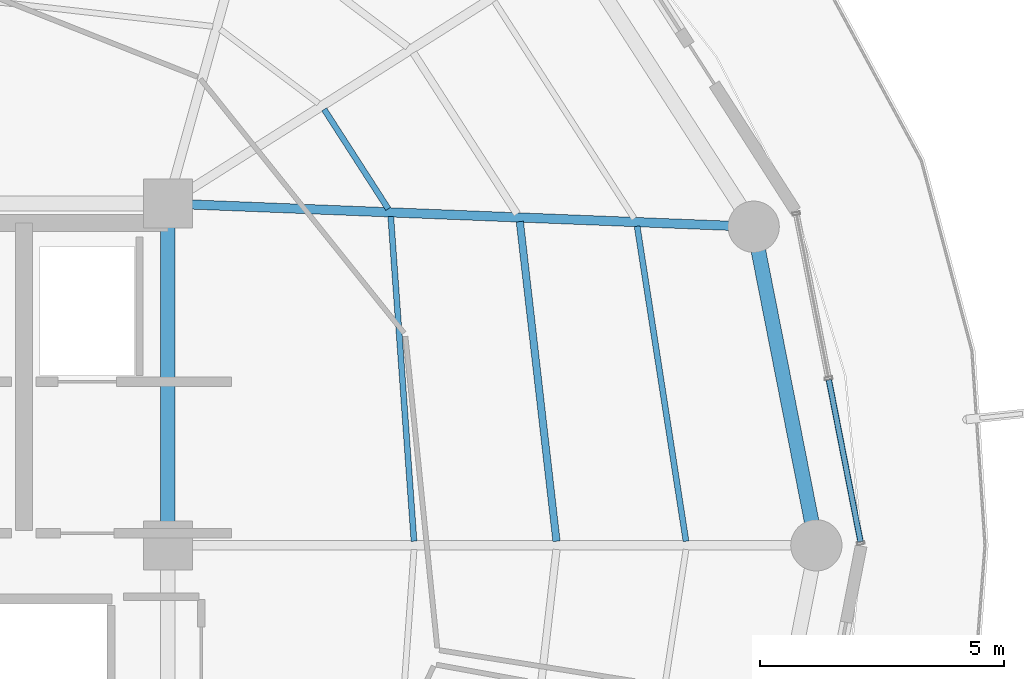
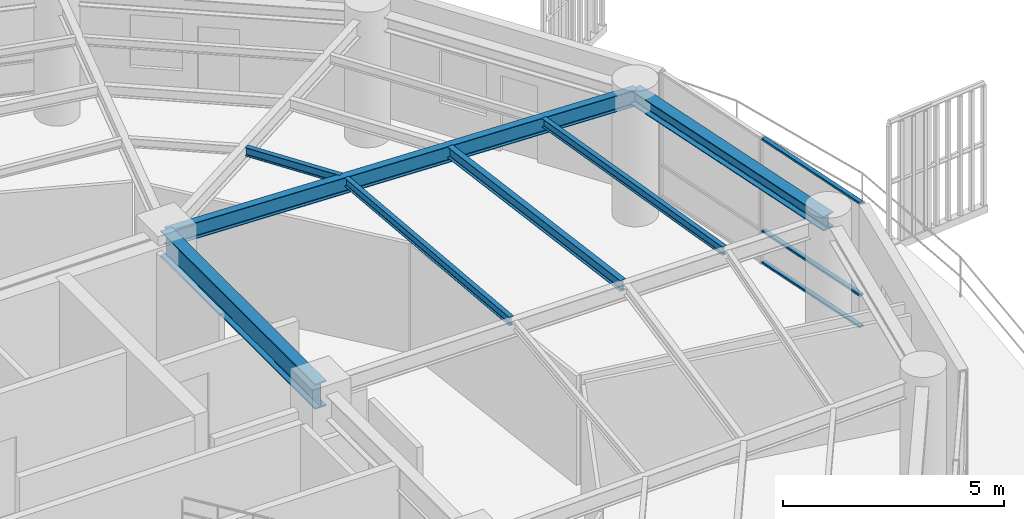
# One storey, part 15 of 31: 7 beams, 3 members, 1 element without a shape of its own.
"""IFC4 building model written with IfcOpenShell, lengths in metres."""

from ifc_helpers import new_model, si_unit, direction, frame, origin, origin_2d, place, context, subcontext, project, spatial, hollow_rectangle, i_section, extrude, material, layer, layer_set, material_profile, profile_set, type_object, element, aggregate, save


model = new_model("IFC4")

# Units and contexts
model_context = context("Model", 3, precision=1e-05, world=origin(), true_north=direction((0.0, 1.0)))
body_context = subcontext(model_context, "Body", "Model", "MODEL_VIEW")
ifc_project = project(units=[si_unit("LENGTHUNIT", "METRE"), si_unit("AREAUNIT", "SQUARE_METRE"), si_unit("VOLUMEUNIT", "CUBIC_METRE"), si_unit("PLANEANGLEUNIT", "RADIAN"), si_unit("MASSUNIT", "GRAM", prefix="KILO")], contexts=[model_context])

# Site, building, storey
site_placement = place(None, origin())
site = spatial("IfcSite", under=ifc_project, at=site_placement, CompositionType="ELEMENT")
building_placement = place(site_placement, origin())
building = spatial("IfcBuilding", under=site, at=building_placement, Name="Kelanora Arch Commons", CompositionType="ELEMENT")
storey_placement = place(building_placement, frame((0.0, 0.0, 223.199951171875)))
storey = spatial("IfcBuildingStorey", under=building, at=storey_placement, Name="L57", CompositionType="ELEMENT", Elevation=223.199951171875)

# Beams
ifc_material_1 = material(Name="Steel S355", Category="steel")
ifc_material_profile_1 = material_profile(ifc_material_1, i_section(OverallWidth=0.300048828125, OverallDepth=0.699951171875, WebThickness=0.01708984375, FlangeThickness=0.031982421875, FilletRadius=0.027099609375, at=origin_2d()), Name="HEB700")
ifc_profile_set_1 = profile_set([ifc_material_profile_1], Name="Steel S355")
beam_type_1 = type_object("IfcBeamType", Name="BM-CORE-HDR", PredefinedType="BEAM", material=ifc_profile_set_1)
beam_1_placement = place(storey_placement, frame((82.0, 58.0, 3.14013671875), z_axis=(0.0, 1.0, 0.0), x_axis=(-1.0, 0.0, 0.0)))
element("IfcBeam", 1, at=beam_1_placement, inside=storey, type_object=beam_type_1, Name="Core Header Beam 04 L57", PredefinedType="BEAM", context=body_context, shape_type="SweptSolid", body=[
    extrude(i_section(OverallWidth=0.300048828125, OverallDepth=0.699951171875, WebThickness=0.01708984375, FlangeThickness=0.031982421875, FilletRadius=0.027099609375, at=origin_2d()), origin(), (0.0, 0.0, 1.0), 7.0),
])
ifc_material_profile_2 = material_profile(ifc_material_1, i_section(OverallWidth=0.14990234375, OverallDepth=0.300048828125, WebThickness=0.007080078125, FlangeThickness=0.0107421875, FilletRadius=0.014892578125, at=origin_2d()), Name="IPE300")
ifc_profile_set_2 = profile_set([ifc_material_profile_2], Name="Steel S355")
beam_type_2 = type_object("IfcBeamType", Name="BM-JST-01", PredefinedType="JOIST", material=ifc_profile_set_2)
beam_2_placement = place(storey_placement, frame((89.958251953125, 58.08447265625, 3.340087890625), z_axis=(-0.113891408177, 0.993493204377, 0.0), x_axis=(-0.993493204377, -0.113891408177, 0.0)))
element("IfcBeam", 2, at=beam_2_placement, inside=storey, type_object=beam_type_2, Name="Secondary Chord Joist BJB-00 L57", PredefinedType="JOIST", context=body_context, shape_type="SweptSolid", body=[
    extrude(i_section(OverallWidth=0.14990234375, OverallDepth=0.300048828125, WebThickness=0.007080078125, FlangeThickness=0.0107421875, FilletRadius=0.014892578125, at=origin_2d()), origin(), (0.0, 0.0, 1.0), 6.589599609375),
])
ifc_material_profile_3 = material_profile(ifc_material_1, i_section(OverallWidth=0.1201171875, OverallDepth=0.239990234375, WebThickness=0.006103515625, FlangeThickness=0.009765625, FilletRadius=0.014892578125, at=origin_2d()), Name="IPE240")
ifc_profile_set_3 = profile_set([ifc_material_profile_3], Name="Steel S355")
beam_type_3 = type_object("IfcBeamType", Name="BM-JST-02", PredefinedType="JOIST", material=ifc_profile_set_3)
beam_3_placement = place(storey_placement, frame((87.040283203125, 58.084716796875, 3.3701171875), z_axis=(-0.07133032136, 0.997452748382, 0.0), x_axis=(-0.997452748382, -0.07133032136, 0.0)))
element("IfcBeam", 3, at=beam_3_placement, inside=storey, type_object=beam_type_3, Name="Secondary Chord Joist BJA-00 L57", PredefinedType="JOIST", context=body_context, shape_type="SweptSolid", body=[
    extrude(i_section(OverallWidth=0.1201171875, OverallDepth=0.239990234375, WebThickness=0.006103515625, FlangeThickness=0.009765625, FilletRadius=0.014892578125, at=origin_2d()), origin(), (0.0, 0.0, 1.0), 6.66748046875),
])
beam_4_placement = place(storey_placement, frame((92.611083984375, 58.083984375, 3.3701171875), z_axis=(-0.153256756152, 0.988186402808, 0.0), x_axis=(-0.988186402808, -0.153256756152, 0.0)))
element("IfcBeam", 4, at=beam_4_placement, inside=storey, type_object=beam_type_3, Name="Secondary Chord Joist BJC-00 L57", PredefinedType="JOIST", context=body_context, shape_type="SweptSolid", body=[
    extrude(i_section(OverallWidth=0.1201171875, OverallDepth=0.239990234375, WebThickness=0.006103515625, FlangeThickness=0.009765625, FilletRadius=0.014892578125, at=origin_2d()), origin(), (0.0, 0.0, 1.0), 6.52978515625),
])
beam_5_placement = place(storey_placement, frame((86.5126953125, 64.89111328125, 3.3701171875), z_axis=(-0.541332763503, 0.840808443796, 0.0), x_axis=(-0.840808443796, -0.541332763503, 0.0)))
element("IfcBeam", 5, at=beam_5_placement, inside=storey, type_object=beam_type_3, Name="Secondary Chord Joist BJA-02 L57", PredefinedType="JOIST", context=body_context, shape_type="SweptSolid", body=[
    extrude(i_section(OverallWidth=0.1201171875, OverallDepth=0.239990234375, WebThickness=0.006103515625, FlangeThickness=0.009765625, FilletRadius=0.014892578125, at=origin_2d()), origin(), (0.0, 0.0, 1.0), 2.423583984375),
])
ifc_material_profile_4 = material_profile(ifc_material_1, i_section(OverallWidth=0.18994140625, OverallDepth=0.449951171875, WebThickness=0.009521484375, FlangeThickness=0.0146484375, FilletRadius=0.02099609375, at=origin_2d()), Name="IPE450")
ifc_profile_set_4 = profile_set([ifc_material_profile_4], Name="Steel S355")
beam_type_4 = type_object("IfcBeamType", Name="BM-RAD-Z4", PredefinedType="BEAM", material=ifc_profile_set_4)
beam_6_placement = place(storey_placement, frame((82.0, 65.0, 3.26513671875), z_axis=(0.999219142585, -0.03951082246, 0.0), x_axis=(0.03951082246, 0.999219142585, 0.0)))
element("IfcBeam", 6, at=beam_6_placement, inside=storey, type_object=beam_type_4, Name="Radial Floor Girder BR-02 L57", PredefinedType="BEAM", context=body_context, shape_type="SweptSolid", body=[
    extrude(i_section(OverallWidth=0.18994140625, OverallDepth=0.449951171875, WebThickness=0.009521484375, FlangeThickness=0.0146484375, FilletRadius=0.02099609375, at=origin_2d()), origin(), (0.0, 0.0, 1.0), 12.005859375),
])
ifc_material_profile_5 = material_profile(ifc_material_1, i_section(OverallWidth=0.300048828125, OverallDepth=0.39990234375, WebThickness=0.013427734375, FlangeThickness=0.02392578125, FilletRadius=0.027099609375, at=origin_2d()), Name="HEB400")
ifc_profile_set_5 = profile_set([ifc_material_profile_5], Name="Steel S355")
beam_type_5 = type_object("IfcBeamType", Name="BM-SPN-Z4", PredefinedType="SPANDREL", material=ifc_profile_set_5)
beam_7_placement = place(storey_placement, frame((95.280029296875, 58.0, 3.2900390625), z_axis=(-0.192980724826, 0.981202547819, 0.0), x_axis=(-0.981202547819, -0.192980724826, 0.0)))
element("IfcBeam", 7, at=beam_7_placement, inside=storey, type_object=beam_type_5, Name="Perimeter Spandrel Beam BS-00 L57", PredefinedType="SPANDREL", context=body_context, shape_type="SweptSolid", body=[
    extrude(i_section(OverallWidth=0.300048828125, OverallDepth=0.39990234375, WebThickness=0.013427734375, FlangeThickness=0.02392578125, FilletRadius=0.027099609375, at=origin_2d()), origin(), (0.0, 0.0, 1.0), 6.650634765625),
])

# Curtain wall, members
ifc_material_2 = material(Name="Terracotta ceramic-fritted low-E glass and aluminium", Category="masonry")
ifc_layer = layer(ifc_material_2, 0.175048828125)
ifc_layer_set = layer_set([ifc_layer], Name="Terracotta ceramic-fritted low-E glass and aluminium")
curtain_wall_type = type_object("IfcCurtainWallType", Name="CW-SYS-02", PredefinedType="NOTDEFINED", material=ifc_layer_set)
curtain_wall_placement = place(storey_placement, origin())
curtain_wall = element("IfcCurtainWall", 8, at=curtain_wall_placement, inside=storey, type_object=curtain_wall_type, Name="Unitised Curtain Wall L57-B00", PredefinedType="NOTDEFINED")
ifc_material_3 = material(Name="Powder-coated aluminium terracotta", Category="masonry")
ifc_material_profile_6 = material_profile(ifc_material_3, hollow_rectangle(XDim=0.1201171875, YDim=0.06005859375, WallThickness=0.0048828125, InnerFilletRadius=0.0048828125, OuterFilletRadius=0.010009765625, at=origin_2d()), Name="CWT120x60")
ifc_profile_set_6 = profile_set([ifc_material_profile_6], Name="Powder-coated aluminium terracotta")
member_type = type_object("IfcMemberType", Name="CWT-STD", PredefinedType="USERDEFINED", material=ifc_profile_set_6)
member_1_placement = place(storey_placement, frame((96.185546875, 58.073486328125, 0.030029296875), z_axis=(-0.192044874899, 0.981386145218, 0.0), x_axis=(-0.981386145218, -0.192044874899, 0.0)))
member_1 = element("IfcMember", 9, at=member_1_placement, type_object=member_type, Name="CW-02 transom 1.1", ObjectType="TRANSOM", PredefinedType="USERDEFINED", context=body_context, shape_type="SweptSolid", body=[
    extrude(hollow_rectangle(XDim=0.1201171875, YDim=0.06005859375, WallThickness=0.0048828125, InnerFilletRadius=0.0048828125, OuterFilletRadius=0.010009765625, at=origin_2d()), origin(), (0.0, 0.0, 1.0), 3.38037109375),
])
member_2_placement = place(storey_placement, frame((96.185546875, 58.073486328125, 0.900146484375), z_axis=(-0.192044874899, 0.981386145218, 0.0), x_axis=(-0.981386145218, -0.192044874899, 0.0)))
member_2 = element("IfcMember", 10, at=member_2_placement, type_object=member_type, Name="CW-02 transom 1.2", ObjectType="TRANSOM", PredefinedType="USERDEFINED", context=body_context, shape_type="SweptSolid", body=[
    extrude(hollow_rectangle(XDim=0.1201171875, YDim=0.06005859375, WallThickness=0.0048828125, InnerFilletRadius=0.0048828125, OuterFilletRadius=0.010009765625, at=origin_2d()), origin(), (0.0, 0.0, 1.0), 3.38037109375),
])
member_3_placement = place(storey_placement, frame((96.185546875, 58.073486328125, 3.445068359375), z_axis=(-0.192044874899, 0.981386145218, 0.0), x_axis=(-0.981386145218, -0.192044874899, 0.0)))
member_3 = element("IfcMember", 11, at=member_3_placement, type_object=member_type, Name="CW-02 transom 1.3", ObjectType="TRANSOM", PredefinedType="USERDEFINED", context=body_context, shape_type="SweptSolid", body=[
    extrude(hollow_rectangle(XDim=0.1201171875, YDim=0.06005859375, WallThickness=0.0048828125, InnerFilletRadius=0.0048828125, OuterFilletRadius=0.010009765625, at=origin_2d()), origin(), (0.0, 0.0, 1.0), 3.38037109375),
])
aggregate(curtain_wall, [member_1, member_2, member_3])

save(model, "model.ifc")
